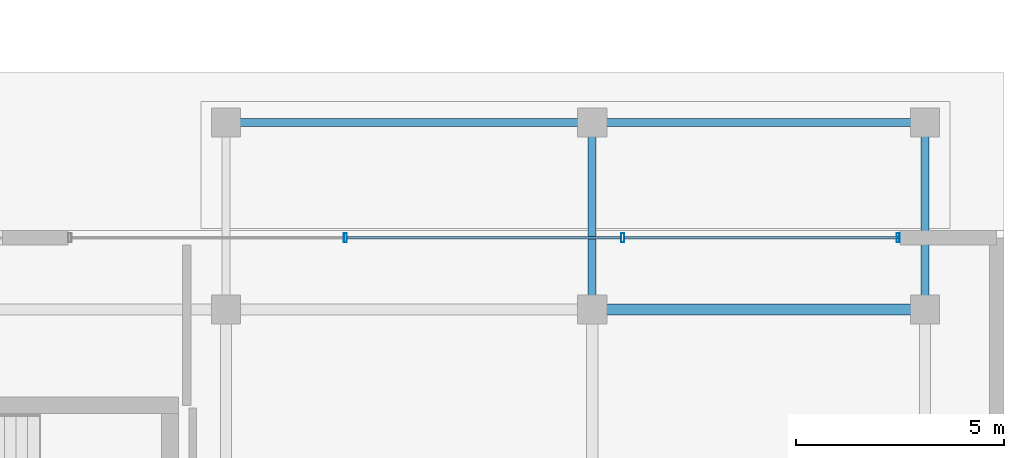
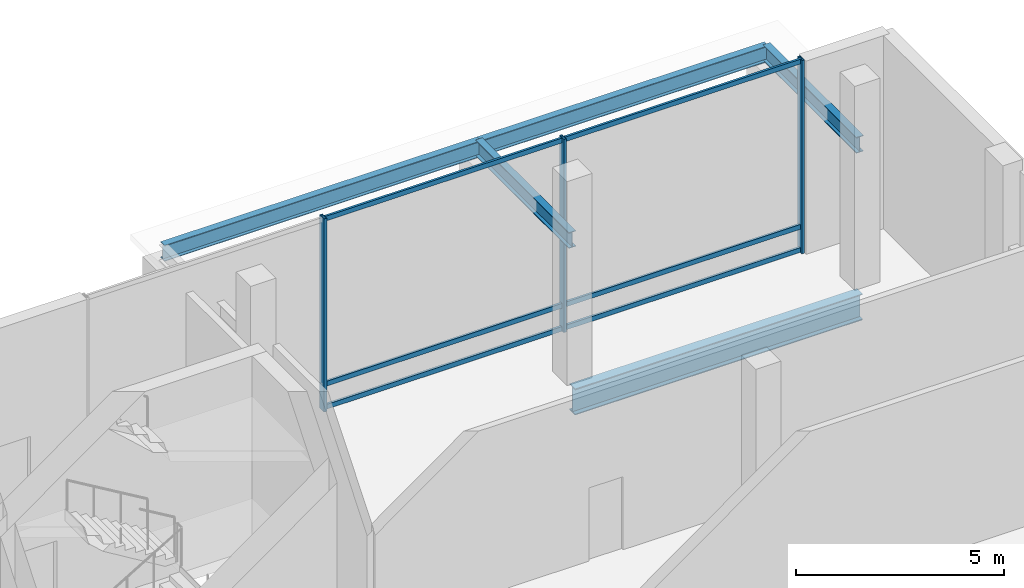
# One storey, part 22 of 34: 9 members, 5 beams, 1 element without a shape of its own.
"""IFC4 building model written with IfcOpenShell, lengths in metres."""

from ifc_helpers import new_model, si_unit, direction, frame, origin, origin_2d, place, context, subcontext, project, spatial, hollow_rectangle, i_section, extrude, material, layer, layer_set, material_profile, profile_set, type_object, element, aggregate, save


model = new_model("IFC4")

# Units and contexts
model_context = context("Model", 3, precision=1e-05, world=origin(), true_north=direction((0.0, 1.0)))
body_context = subcontext(model_context, "Body", "Model", "MODEL_VIEW")
ifc_project = project(units=[si_unit("LENGTHUNIT", "METRE"), si_unit("AREAUNIT", "SQUARE_METRE"), si_unit("VOLUMEUNIT", "CUBIC_METRE"), si_unit("PLANEANGLEUNIT", "RADIAN"), si_unit("MASSUNIT", "GRAM", prefix="KILO")], contexts=[model_context])

# Site, building, storey
site_placement = place(None, origin())
site = spatial("IfcSite", under=ifc_project, at=site_placement, CompositionType="ELEMENT")
building_placement = place(site_placement, origin())
building = spatial("IfcBuilding", under=site, at=building_placement, Name="Barlavira Tower and Art Museum", CompositionType="ELEMENT")
storey_placement = place(building_placement, origin())
storey = spatial("IfcBuildingStorey", under=building, at=storey_placement, Name="L00", CompositionType="ELEMENT", Elevation=0.0)

# Beams
ifc_material_1 = material(Name="Steel S355", Category="steel")
ifc_material_profile_1 = material_profile(ifc_material_1, i_section(OverallWidth=0.194091796875, OverallDepth=0.468994140625, WebThickness=0.0126953125, FlangeThickness=0.0205078125, at=origin_2d()), Name="W460x106.0")
ifc_profile_set_1 = profile_set([ifc_material_profile_1], Name="Steel S355")
beam_type_1 = type_object("IfcBeamType", Name="Covered Arcade Roof Girder W460x106 Steel S355", PredefinedType="BEAM", material=ifc_profile_set_1)
beam_1_placement = place(storey_placement, frame((38.800048828125, 26.60009765625, 3.965576171875), z_axis=(1.0, 0.0, 0.0), x_axis=(0.0, 1.0, 0.0)))
element("IfcBeam", 1, at=beam_1_placement, inside=storey, type_object=beam_type_1, Name="L00 N Pergola Longitudinal Girder 1", PredefinedType="BEAM", context=body_context, shape_type="SweptSolid", body=[
    extrude(i_section(OverallWidth=0.194091796875, OverallDepth=0.468994140625, WebThickness=0.0126953125, FlangeThickness=0.0205078125, at=origin_2d()), origin(), (0.0, 0.0, 1.0), 8.800048828125),
])
beam_2_placement = place(storey_placement, frame((47.60009765625, 26.60009765625, 3.965576171875), z_axis=(1.0, 0.0, 0.0), x_axis=(0.0, 1.0, 0.0)))
element("IfcBeam", 2, at=beam_2_placement, inside=storey, type_object=beam_type_1, Name="L00 N Pergola Longitudinal Girder 2", PredefinedType="BEAM", context=body_context, shape_type="SweptSolid", body=[
    extrude(i_section(OverallWidth=0.194091796875, OverallDepth=0.468994140625, WebThickness=0.0126953125, FlangeThickness=0.0205078125, at=origin_2d()), origin(), (0.0, 0.0, 1.0), 8.0),
])
for number, where, z_axis, x_axis, name in (
    (3, (47.60009765625, 22.10009765625, 3.965576171875), (0.0, 1.0, 0.0), (-1.0, 0.0, 0.0), "L00 N Pergola Tie Beam 2"),
    (4, (55.60009765625, 22.10009765625, 3.965576171875), (0.0, 1.0, 0.0), (-1.0, 0.0, 0.0), "L00 N Pergola Tie Beam 3"),
):
    element("IfcBeam", number, at=place(storey_placement, frame(where, z_axis=z_axis, x_axis=x_axis)), inside=storey, type_object=beam_type_1, Name=name, PredefinedType="BEAM", context=body_context, shape_type="SweptSolid", body=[
        extrude(i_section(OverallWidth=0.194091796875, OverallDepth=0.468994140625, WebThickness=0.0126953125, FlangeThickness=0.0205078125, at=origin_2d()), origin(), (0.0, 0.0, 1.0), 4.5),
    ])

# Curtain wall, members
ifc_material_2 = material(Name="Low-iron coastal laminated glass", Category="glass")
ifc_layer = layer(ifc_material_2, 0.199951171875, Name="Low-iron coastal laminated glass")
ifc_layer_set = layer_set([ifc_layer], Name="Low-iron coastal laminated glass")
curtain_wall_type = type_object("IfcCurtainWallType", Name="Coastal Art Museum North-Light Curtain Wall", PredefinedType="NOTDEFINED", material=ifc_layer_set)
curtain_wall_placement = place(storey_placement, origin())
curtain_wall = element("IfcCurtainWall", 5, at=curtain_wall_placement, inside=storey, type_object=curtain_wall_type, Name="L00 Curtain Wall CW6-MUS-L00-N", PredefinedType="NOTDEFINED")
ifc_material_3 = material(Name="Pale anodised aluminium", Category="aluminium")
ifc_material_profile_2 = material_profile(ifc_material_3, hollow_rectangle(XDim=0.074951171875, YDim=0.219970703125, WallThickness=0.0048828125, at=origin_2d()), Name="ALU-MULL 75x220x5")
ifc_profile_set_2 = profile_set([ifc_material_profile_2], Name="Pale anodised aluminium")
member_type_1 = type_object("IfcMemberType", Name="Curtain Wall Heavy Pale-Metal Mullion 75x220", PredefinedType="MULLION", material=ifc_profile_set_2)
member_1_placement = place(storey_placement, frame((54.955078125, 23.824951171875, 0.0), z_axis=(0.0, 0.0, 1.0), x_axis=(-1.0, 0.0, 0.0)))
member_1 = element("IfcMember", 6, at=member_1_placement, type_object=member_type_1, Name="CW6-MUS-L00-N Mullion 0", PredefinedType="MULLION", context=body_context, shape_type="SweptSolid", body=[
    extrude(hollow_rectangle(XDim=0.074951171875, YDim=0.219970703125, WallThickness=0.0048828125, at=origin_2d()), origin(), (0.0, 0.0, 1.0), 5.679931640625),
])
member_2_placement = place(storey_placement, frame((48.333251953125, 23.824951171875, 0.0), z_axis=(0.0, 0.0, 1.0), x_axis=(-1.0, 0.0, 0.0)))
member_2 = element("IfcMember", 7, at=member_2_placement, type_object=member_type_1, Name="CW6-MUS-L00-N Mullion 1", PredefinedType="MULLION", context=body_context, shape_type="SweptSolid", body=[
    extrude(hollow_rectangle(XDim=0.074951171875, YDim=0.219970703125, WallThickness=0.0048828125, at=origin_2d()), origin(), (0.0, 0.0, 1.0), 5.679931640625),
])
member_3_placement = place(storey_placement, frame((41.666748046875, 23.824951171875, 0.0), z_axis=(0.0, 0.0, 1.0), x_axis=(-1.0, 0.0, 0.0)))
member_3 = element("IfcMember", 8, at=member_3_placement, type_object=member_type_1, Name="CW6-MUS-L00-N Mullion 2", PredefinedType="MULLION", context=body_context, shape_type="SweptSolid", body=[
    extrude(hollow_rectangle(XDim=0.074951171875, YDim=0.219970703125, WallThickness=0.0048828125, at=origin_2d()), origin(), (0.0, 0.0, 1.0), 5.679931640625),
])
ifc_material_profile_3 = material_profile(ifc_material_3, hollow_rectangle(XDim=0.06494140625, YDim=0.139892578125, WallThickness=0.00390625, at=origin_2d()), Name="ALU-TRAN 65x140x4")
ifc_profile_set_3 = profile_set([ifc_material_profile_3], Name="Pale anodised aluminium")
member_type_2 = type_object("IfcMemberType", Name="Curtain Wall Pale-Metal Transom 65x140", PredefinedType="USERDEFINED", material=ifc_profile_set_3)
member_4_placement = place(storey_placement, frame((54.955078125, 23.824951171875, 0.070068359375), z_axis=(-1.0, 0.0, 0.0), x_axis=(0.0, -1.0, 0.0)))
member_4 = element("IfcMember", 9, at=member_4_placement, type_object=member_type_2, Name="CW6-MUS-L00-N Transom 0.1", ObjectType="TRANSOM", PredefinedType="USERDEFINED", context=body_context, shape_type="SweptSolid", body=[
    extrude(hollow_rectangle(XDim=0.06494140625, YDim=0.139892578125, WallThickness=0.00390625, at=origin_2d()), origin(), (0.0, 0.0, 1.0), 6.57666015625),
])
member_5_placement = place(storey_placement, frame((54.955078125, 23.824951171875, 0.75), z_axis=(-1.0, 0.0, 0.0), x_axis=(0.0, -1.0, 0.0)))
member_5 = element("IfcMember", 10, at=member_5_placement, type_object=member_type_2, Name="CW6-MUS-L00-N Transom 0.2", ObjectType="TRANSOM", PredefinedType="USERDEFINED", context=body_context, shape_type="SweptSolid", body=[
    extrude(hollow_rectangle(XDim=0.06494140625, YDim=0.139892578125, WallThickness=0.00390625, at=origin_2d()), origin(), (0.0, 0.0, 1.0), 6.57666015625),
])
member_6_placement = place(storey_placement, frame((54.955078125, 23.824951171875, 5.610107421875), z_axis=(-1.0, 0.0, 0.0), x_axis=(0.0, -1.0, 0.0)))
member_6 = element("IfcMember", 11, at=member_6_placement, type_object=member_type_2, Name="CW6-MUS-L00-N Transom 0.3", ObjectType="TRANSOM", PredefinedType="USERDEFINED", context=body_context, shape_type="SweptSolid", body=[
    extrude(hollow_rectangle(XDim=0.06494140625, YDim=0.139892578125, WallThickness=0.00390625, at=origin_2d()), origin(), (0.0, 0.0, 1.0), 6.57666015625),
])
member_7_placement = place(storey_placement, frame((48.288330078125, 23.824951171875, 0.070068359375), z_axis=(-1.0, 0.0, 0.0), x_axis=(0.0, -1.0, 0.0)))
member_7 = element("IfcMember", 12, at=member_7_placement, type_object=member_type_2, Name="CW6-MUS-L00-N Transom 1.1", ObjectType="TRANSOM", PredefinedType="USERDEFINED", context=body_context, shape_type="SweptSolid", body=[
    extrude(hollow_rectangle(XDim=0.06494140625, YDim=0.139892578125, WallThickness=0.00390625, at=origin_2d()), origin(), (0.0, 0.0, 1.0), 6.57666015625),
])
member_8_placement = place(storey_placement, frame((48.288330078125, 23.824951171875, 0.75), z_axis=(-1.0, 0.0, 0.0), x_axis=(0.0, -1.0, 0.0)))
member_8 = element("IfcMember", 13, at=member_8_placement, type_object=member_type_2, Name="CW6-MUS-L00-N Transom 1.2", ObjectType="TRANSOM", PredefinedType="USERDEFINED", context=body_context, shape_type="SweptSolid", body=[
    extrude(hollow_rectangle(XDim=0.06494140625, YDim=0.139892578125, WallThickness=0.00390625, at=origin_2d()), origin(), (0.0, 0.0, 1.0), 6.57666015625),
])
member_9_placement = place(storey_placement, frame((48.288330078125, 23.824951171875, 5.610107421875), z_axis=(-1.0, 0.0, 0.0), x_axis=(0.0, -1.0, 0.0)))
member_9 = element("IfcMember", 14, at=member_9_placement, type_object=member_type_2, Name="CW6-MUS-L00-N Transom 1.3", ObjectType="TRANSOM", PredefinedType="USERDEFINED", context=body_context, shape_type="SweptSolid", body=[
    extrude(hollow_rectangle(XDim=0.06494140625, YDim=0.139892578125, WallThickness=0.00390625, at=origin_2d()), origin(), (0.0, 0.0, 1.0), 6.57666015625),
])
aggregate(curtain_wall, [member_1, member_2, member_3, member_4, member_5, member_6, member_7, member_8, member_9])

# Beam
ifc_material_profile_4 = material_profile(ifc_material_1, i_section(OverallWidth=0.26904296875, OverallDepth=0.76806640625, WebThickness=0.016845703125, FlangeThickness=0.026611328125, at=origin_2d()), Name="W760x220.0")
ifc_profile_set_4 = profile_set([ifc_material_profile_4], Name="Steel S355")
beam_type_2 = type_object("IfcBeamType", Name="Museum Long-Span Gallery Girder W760x220 Steel S355", PredefinedType="BEAM", material=ifc_profile_set_4)
beam_3_placement = place(storey_placement, frame((47.60009765625, 22.10009765625, -0.73388671875), z_axis=(1.0, 0.0, 0.0), x_axis=(0.0, 1.0, 0.0)))
element("IfcBeam", 15, at=beam_3_placement, inside=storey, type_object=beam_type_2, Name="L00 Museum Girder X 6-3", PredefinedType="BEAM", context=body_context, shape_type="SweptSolid", body=[
    extrude(i_section(OverallWidth=0.26904296875, OverallDepth=0.76806640625, WebThickness=0.016845703125, FlangeThickness=0.026611328125, at=origin_2d()), origin(), (0.0, 0.0, 1.0), 8.0),
])

save(model, "model.ifc")
